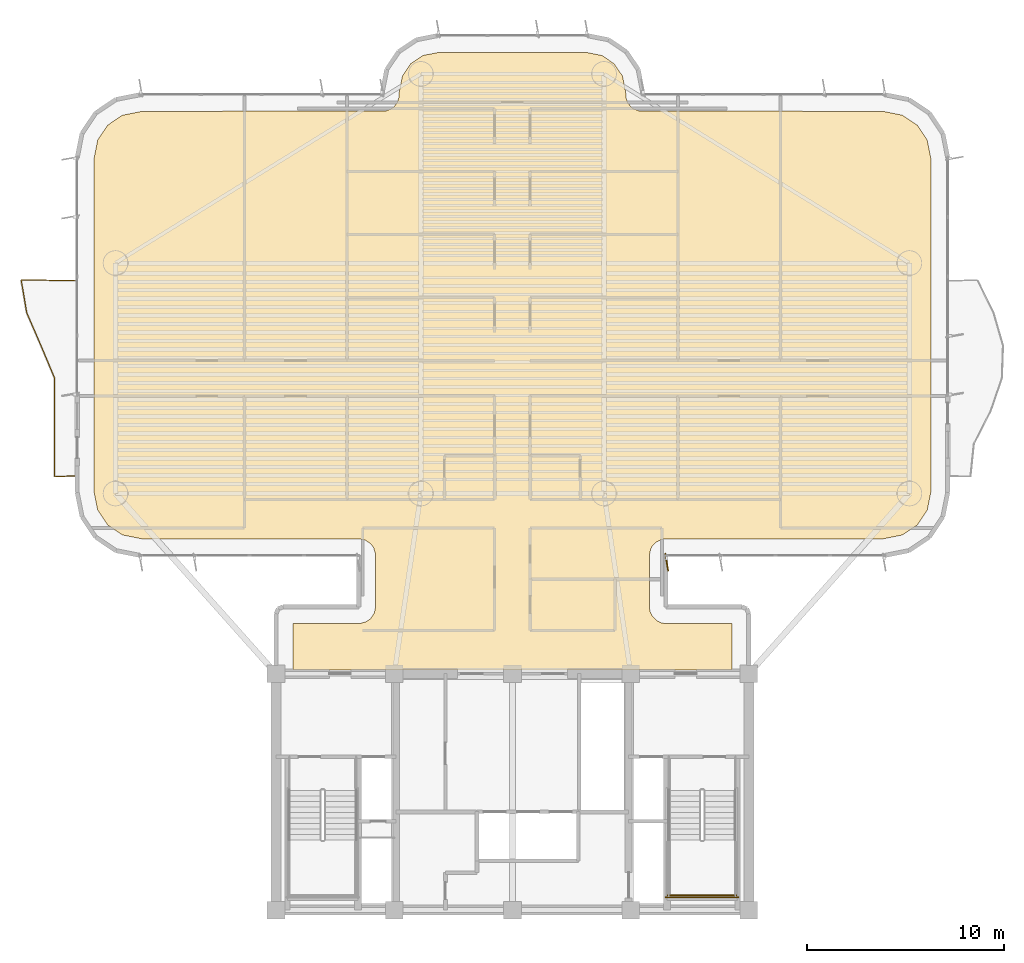
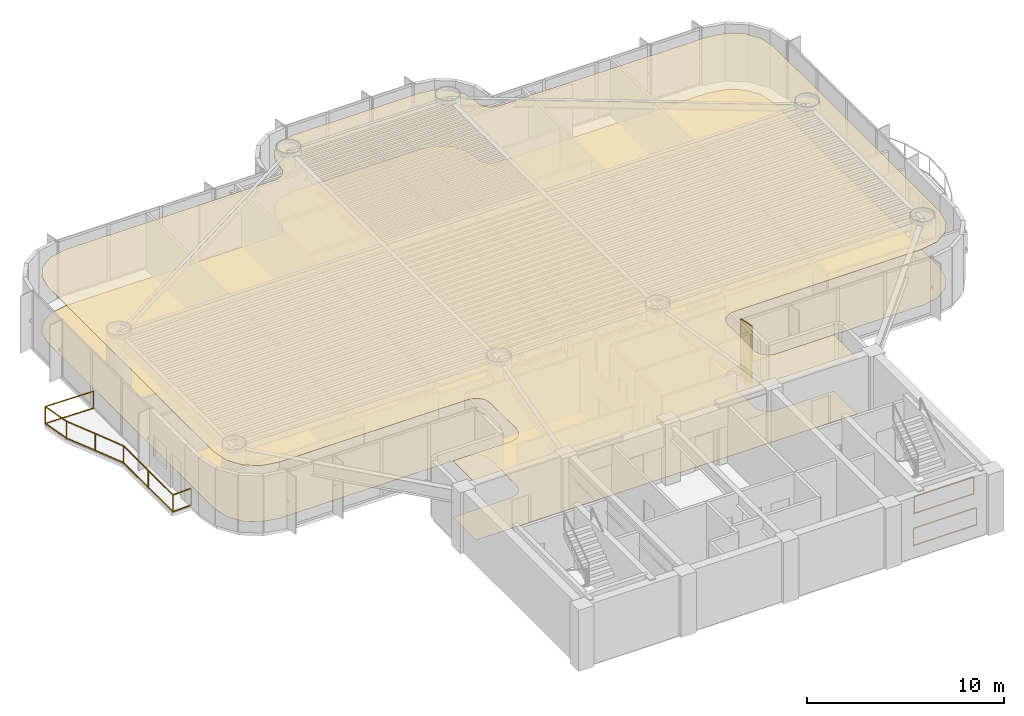
# One storey, part 14 of 16: 3 railings, 2 coverings, 1 shading device.
"""IFC4 building model written with IfcOpenShell, lengths in metres."""

from ifc_helpers import new_model, si_unit, direction, frame, origin, origin_2d, place, context, subcontext, project, spatial, polyline, rectangle, outline, extrude, source, transform, mapped, material, layer, layer_set, material_profile, profile_set, type_object, element, save


model = new_model("IFC4")

# Units and contexts
model_context = context("Model", 3, precision=1e-05, world=origin(), true_north=direction((0.0, 1.0)))
body_context = subcontext(model_context, "Body", "Model", "MODEL_VIEW")
ifc_project = project(units=[si_unit("LENGTHUNIT", "METRE"), si_unit("AREAUNIT", "SQUARE_METRE"), si_unit("VOLUMEUNIT", "CUBIC_METRE"), si_unit("PLANEANGLEUNIT", "RADIAN"), si_unit("MASSUNIT", "GRAM", prefix="KILO")], contexts=[model_context])

# Site, building, storey
site_placement = place(None, origin())
site = spatial("IfcSite", under=ifc_project, at=site_placement, CompositionType="ELEMENT")
building_placement = place(site_placement, origin())
building = spatial("IfcBuilding", under=site, at=building_placement, Name="Brelvock Crest Care Tower", CompositionType="ELEMENT")
storey_placement = place(building_placement, frame((0.0, 0.0, 101.159912109375)))
storey = spatial("IfcBuildingStorey", under=building, at=storey_placement, Name="L25", CompositionType="ELEMENT", Elevation=101.159912109375)

# Coverings
ifc_material_1 = material(Name="Mineral Fibre Acoustic Ceiling Tile", Category="gypsum")
ifc_layer_1 = layer(ifc_material_1, 0.02490234375, Name="COV-CLG1")
ifc_layer_set_1 = layer_set([ifc_layer_1], Name="Mineral Fibre Acoustic Ceiling Tile")
covering_type_1 = type_object("IfcCoveringType", Name="COV-CLG1", PredefinedType="CEILING", material=ifc_layer_set_1)
covering_1_placement = place(storey_placement, frame((0.0, 0.0, 3.47509765625)))
element("IfcCovering", 1, at=covering_1_placement, inside=storey, type_object=covering_type_1, Name="L25 Acoustic Suspended Ceiling 1", PredefinedType="CEILING", context=body_context, shape_type="SweptSolid", body=[
    extrude(outline(polyline([(24.85009765625, 18.199951171875), (47.14990234375, 18.199951171875), (47.14990234375, 20.550048828125), (43.716796875, 20.55419921875), (43.55322265625, 20.586669921875), (43.327880859375, 20.693359375), (43.09326171875, 20.927734375), (42.986572265625, 21.1533203125), (42.949951171875, 21.39990234375), (42.949951171875, 24.0), (43.0146484375, 24.3251953125), (43.09326171875, 24.47216796875), (43.2607421875, 24.656982421875), (43.55322265625, 24.8134765625), (43.800048828125, 24.85009765625), (54.81640625, 24.85009765625), (55.79296875, 25.044189453125), (56.5498046875, 25.550048828125), (57.0556640625, 26.30712890625), (57.25, 27.28369140625), (57.25, 44.1162109375), (57.0556640625, 45.093017578125), (56.5498046875, 45.849853515625), (55.79296875, 46.355712890625), (54.81640625, 46.550048828125), (42.43408203125, 46.56640625), (42.127685546875, 46.693359375), (41.9990234375, 46.799072265625), (41.850341796875, 46.999267578125), (41.766357421875, 47.234130859375), (41.75, 47.516357421875), (41.586181640625, 48.33984375), (41.1669921875, 48.967041015625), (40.539794921875, 49.38623046875), (39.71630859375, 49.550048828125), (32.28369140625, 49.550048828125), (31.460205078125, 49.38623046875), (30.8330078125, 48.967041015625), (30.413818359375, 48.33984375), (30.25, 47.516357421875), (30.233642578125, 47.234130859375), (30.149658203125, 46.999267578125), (30.0009765625, 46.799072265625), (29.872314453125, 46.693359375), (29.56591796875, 46.56640625), (17.18359375, 46.550048828125), (16.20703125, 46.355712890625), (15.4501953125, 45.849853515625), (14.9443359375, 45.093017578125), (14.75, 44.1162109375), (14.75, 27.28369140625), (14.9443359375, 26.30712890625), (15.4501953125, 25.550048828125), (16.20703125, 25.044189453125), (17.18359375, 24.85009765625), (28.199951171875, 24.85009765625), (28.525390625, 24.785400390625), (28.801025390625, 24.60107421875), (28.94970703125, 24.400634765625), (29.0458984375, 24.083251953125), (29.050048828125, 21.39990234375), (28.9853515625, 21.07470703125), (28.801025390625, 20.799072265625), (28.6005859375, 20.650390625), (28.283203125, 20.55419921875), (24.85009765625, 20.550048828125), (24.85009765625, 18.199951171875)])), origin(), (0.0, 0.0, 1.0), 0.02490234375),
])
ifc_material_2 = material(Name="Slip-Resistant Acoustic Vinyl Flooring", Category="finish")
ifc_layer_2 = layer(ifc_material_2, 0.014892578125, Name="COV-FLR1")
ifc_layer_set_2 = layer_set([ifc_layer_2], Name="Slip-Resistant Acoustic Vinyl Flooring")
covering_type_2 = type_object("IfcCoveringType", Name="COV-FLR1", PredefinedType="FLOORING", material=ifc_layer_set_2)
covering_2_placement = place(storey_placement, origin())
element("IfcCovering", 2, at=covering_2_placement, inside=storey, type_object=covering_type_2, Name="L25 Slip-Resistant Acoustic Flooring 1", PredefinedType="FLOORING", context=body_context, shape_type="SweptSolid", body=[
    extrude(outline(polyline([(24.85009765625, 18.199951171875), (47.14990234375, 18.199951171875), (47.14990234375, 20.550048828125), (43.716796875, 20.55419921875), (43.55322265625, 20.586669921875), (43.327880859375, 20.693359375), (43.09326171875, 20.927734375), (42.986572265625, 21.1533203125), (42.949951171875, 21.39990234375), (42.949951171875, 24.0), (43.0146484375, 24.3251953125), (43.09326171875, 24.47216796875), (43.2607421875, 24.656982421875), (43.55322265625, 24.8134765625), (43.800048828125, 24.85009765625), (54.81640625, 24.85009765625), (55.79296875, 25.044189453125), (56.5498046875, 25.550048828125), (57.0556640625, 26.30712890625), (57.25, 27.28369140625), (57.25, 44.1162109375), (57.0556640625, 45.093017578125), (56.5498046875, 45.849853515625), (55.79296875, 46.355712890625), (54.81640625, 46.550048828125), (42.43408203125, 46.56640625), (42.127685546875, 46.693359375), (41.9990234375, 46.799072265625), (41.850341796875, 46.999267578125), (41.766357421875, 47.234130859375), (41.75, 47.516357421875), (41.586181640625, 48.33984375), (41.1669921875, 48.967041015625), (40.539794921875, 49.38623046875), (39.71630859375, 49.550048828125), (32.28369140625, 49.550048828125), (31.460205078125, 49.38623046875), (30.8330078125, 48.967041015625), (30.413818359375, 48.33984375), (30.25, 47.516357421875), (30.233642578125, 47.234130859375), (30.149658203125, 46.999267578125), (30.0009765625, 46.799072265625), (29.872314453125, 46.693359375), (29.56591796875, 46.56640625), (17.18359375, 46.550048828125), (16.20703125, 46.355712890625), (15.4501953125, 45.849853515625), (14.9443359375, 45.093017578125), (14.75, 44.1162109375), (14.75, 27.28369140625), (14.9443359375, 26.30712890625), (15.4501953125, 25.550048828125), (16.20703125, 25.044189453125), (17.18359375, 24.85009765625), (28.199951171875, 24.85009765625), (28.525390625, 24.785400390625), (28.801025390625, 24.60107421875), (28.94970703125, 24.400634765625), (29.0458984375, 24.083251953125), (29.050048828125, 21.39990234375), (28.9853515625, 21.07470703125), (28.801025390625, 20.799072265625), (28.6005859375, 20.650390625), (28.283203125, 20.55419921875), (24.85009765625, 20.550048828125), (24.85009765625, 18.199951171875)])), origin(), (0.0, 0.0, 1.0), 0.01513671875),
])

# Railings
ifc_material_3 = material(Name="Dark Glass Double Glazed Low-E", Category="glass")
ifc_layer_3 = layer(ifc_material_3, 0.06005859375, Name="RL-BAL1")
ifc_layer_set_3 = layer_set([ifc_layer_3], Name="Dark Glass Double Glazed Low-E")
railing_type_1 = type_object("IfcRailingType", Name="RL-BAL1", PredefinedType="BALUSTRADE", material=ifc_layer_set_3)
railing_1_placement = place(storey_placement, frame((13.860107421875, 28.050048828125, 0.004150390625)))
element("IfcRailing", 3, at=railing_1_placement, inside=storey, type_object=railing_type_1, Name="L25 Safety Balustrade WB-W", PredefinedType="BALUSTRADE", context=body_context, shape_type="SweptSolid", body=[
    extrude(rectangle(XDim=0.048095703125, YDim=0.048095703125, at=origin_2d()), frame((-0.001953125, 0.0, 1.09619140625), z_axis=(-0.998966710972, -0.045447886318, 0.0), x_axis=(0.045447886318, -0.998966710972, 0.0)), (0.0, 0.0, 1.0), 1.09716796875),
    extrude(rectangle(XDim=0.048095703125, YDim=0.048095703125, at=origin_2d()), frame((-0.001953125, 0.0, 0.054931640625), z_axis=(-0.998966710972, -0.045447886318, 0.0), x_axis=(0.045447886318, -0.998966710972, 0.0)), (0.0, 0.0, 1.0), 1.09716796875),
    extrude(rectangle(XDim=0.048095703125, YDim=0.048095703125, at=origin_2d()), frame((-1.10009765625, -0.048095703125, 1.09619140625), z_axis=(0.0, 1.0, 0.0), x_axis=(-1.0, 0.0, 0.0)), (0.0, 0.0, 1.0), 4.99609375),
    extrude(rectangle(XDim=0.048095703125, YDim=0.048095703125, at=origin_2d()), frame((-1.10009765625, -0.048095703125, 0.054931640625), z_axis=(0.0, 1.0, 0.0), x_axis=(-1.0, 0.0, 0.0)), (0.0, 0.0, 1.0), 4.99609375),
    extrude(rectangle(XDim=0.048095703125, YDim=0.048095703125, at=origin_2d()), frame((-1.100830078125, 4.951904296875, 1.09619140625), z_axis=(-0.386963805718, 0.922094904586, 0.0), x_axis=(-0.922094904586, -0.386963805718, 0.0)), (0.0, 0.0, 1.0), 1.803466796875),
    extrude(rectangle(XDim=0.048095703125, YDim=0.048095703125, at=origin_2d()), frame((-1.100830078125, 4.951904296875, 0.054931640625), z_axis=(-0.386963805718, 0.922094904586, 0.0), x_axis=(-0.922094904586, -0.386963805718, 0.0)), (0.0, 0.0, 1.0), 1.803466796875),
    extrude(rectangle(XDim=0.048095703125, YDim=0.048095703125, at=origin_2d()), frame((-1.80029296875, 6.61865234375, 1.09619140625), z_axis=(-0.39727539454, 0.917699439301, 0.0), x_axis=(-0.917699439301, -0.39727539454, 0.0)), (0.0, 0.0, 1.0), 1.81201171875),
    extrude(rectangle(XDim=0.048095703125, YDim=0.048095703125, at=origin_2d()), frame((-1.80029296875, 6.61865234375, 0.054931640625), z_axis=(-0.39727539454, 0.917699439301, 0.0), x_axis=(-0.917699439301, -0.39727539454, 0.0)), (0.0, 0.0, 1.0), 1.81201171875),
    extrude(rectangle(XDim=0.048095703125, YDim=0.048095703125, at=origin_2d()), frame((-2.521240234375, 8.28515625, 1.09619140625), z_axis=(-0.165125179616, 0.986272617006, 0.0), x_axis=(-0.986272617006, -0.165125179616, 0.0)), (0.0, 0.0, 1.0), 1.68603515625),
    extrude(rectangle(XDim=0.048095703125, YDim=0.048095703125, at=origin_2d()), frame((-2.521240234375, 8.28515625, 0.054931640625), z_axis=(-0.165125179616, 0.986272617006, 0.0), x_axis=(-0.986272617006, -0.165125179616, 0.0)), (0.0, 0.0, 1.0), 1.68603515625),
    extrude(rectangle(XDim=0.048095703125, YDim=0.048095703125, at=origin_2d()), frame((-2.798095703125, 9.949951171875, 1.09619140625), z_axis=(0.999840293507, -0.017871415134, 0.0), x_axis=(0.017871415134, 0.999840293507, 0.0)), (0.0, 0.0, 1.0), 2.79638671875),
    extrude(rectangle(XDim=0.048095703125, YDim=0.048095703125, at=origin_2d()), frame((-2.798095703125, 9.949951171875, 0.054931640625), z_axis=(0.999840293507, -0.017871415134, 0.0), x_axis=(0.017871415134, 0.999840293507, 0.0)), (0.0, 0.0, 1.0), 2.79638671875),
    extrude(rectangle(XDim=0.0419921875, YDim=0.0419921875, at=origin_2d()), origin(), (0.0, 0.0, 1.0), 1.070068359375),
    extrude(rectangle(XDim=0.0419921875, YDim=0.0419921875, at=origin_2d()), frame((-1.10009765625, -0.050048828125, 0.0)), (0.0, 0.0, 1.0), 1.070068359375),
    extrude(rectangle(XDim=0.0419921875, YDim=0.0419921875, at=origin_2d()), frame((-1.10009765625, 2.449951171875, 0.0)), (0.0, 0.0, 1.0), 1.070068359375),
    extrude(rectangle(XDim=0.0419921875, YDim=0.0419921875, at=origin_2d()), frame((-1.10009765625, 4.949951171875, 0.0)), (0.0, 0.0, 1.0), 1.070068359375),
    extrude(rectangle(XDim=0.0419921875, YDim=0.0419921875, at=origin_2d()), frame((-1.799560546875, 6.61669921875, 0.0)), (0.0, 0.0, 1.0), 1.070068359375),
    extrude(rectangle(XDim=0.0419921875, YDim=0.0419921875, at=origin_2d()), frame((-2.52099609375, 8.283203125, 0.0)), (0.0, 0.0, 1.0), 1.070068359375),
    extrude(rectangle(XDim=0.0419921875, YDim=0.0419921875, at=origin_2d()), frame((-2.800048828125, 9.949951171875, 0.0)), (0.0, 0.0, 1.0), 1.070068359375),
    extrude(rectangle(XDim=0.0419921875, YDim=0.0419921875, at=origin_2d()), frame((0.0, 9.89990234375, 0.0)), (0.0, 0.0, 1.0), 1.070068359375),
])
ifc_material_4 = material(Name="Steel Grade 350", Category="steel")
ifc_layer_4 = layer(ifc_material_4, 0.050048828125, Name="RL-STG1")
ifc_layer_set_4 = layer_set([ifc_layer_4], Name="Steel Grade 350")
railing_type_2 = type_object("IfcRailingType", Name="RL-STG1", PredefinedType="GUARDRAIL", material=ifc_layer_set_4)
railing_2_placement = place(storey_placement, frame((43.889892578125, 6.75, 1.89013671875)))
element("IfcRailing", 4, at=railing_2_placement, inside=storey, type_object=railing_type_2, Name="L25 ST-2 stair guard 5", PredefinedType="GUARDRAIL", context=body_context, shape_type="SweptSolid", body=[
    extrude(rectangle(XDim=0.048095703125, YDim=0.048095703125, at=origin_2d()), frame((0.001953125, 0.0, 1.11572265625), z_axis=(1.0, 0.0, 0.0), x_axis=(0.0, 1.0, 0.0)), (0.0, 0.0, 1.0), 3.476318359375),
    extrude(rectangle(XDim=0.048095703125, YDim=0.048095703125, at=origin_2d()), frame((0.001953125, 0.0, 0.054931640625), z_axis=(1.0, 0.0, 0.0), x_axis=(0.0, 1.0, 0.0)), (0.0, 0.0, 1.0), 3.476318359375),
    extrude(rectangle(XDim=0.0419921875, YDim=0.0419921875, at=origin_2d()), origin(), (0.0, 0.0, 1.0), 1.08984375),
    extrude(rectangle(XDim=0.0419921875, YDim=0.0419921875, at=origin_2d()), frame((3.480224609375, 0.0, 0.0)), (0.0, 0.0, 1.0), 1.08984375),
])
railing_3_placement = place(storey_placement, frame((43.7900390625, 6.64990234375, 0.0)))
element("IfcRailing", 5, at=railing_3_placement, inside=storey, type_object=railing_type_2, Name="L25 ST-2 stair guard 12", PredefinedType="GUARDRAIL", context=body_context, shape_type="SweptSolid", body=[
    extrude(rectangle(XDim=0.048095703125, YDim=0.048095703125, at=origin_2d()), frame((0.001953125, 0.0, 1.11572265625), z_axis=(1.0, 0.0, 0.0), x_axis=(0.0, 1.0, 0.0)), (0.0, 0.0, 1.0), 3.676025390625),
    extrude(rectangle(XDim=0.048095703125, YDim=0.048095703125, at=origin_2d()), frame((0.001953125, 0.0, 0.054931640625), z_axis=(1.0, 0.0, 0.0), x_axis=(0.0, 1.0, 0.0)), (0.0, 0.0, 1.0), 3.676025390625),
    extrude(rectangle(XDim=0.0419921875, YDim=0.0419921875, at=origin_2d()), origin(), (0.0, 0.0, 1.0), 1.08984375),
    extrude(rectangle(XDim=0.0419921875, YDim=0.0419921875, at=origin_2d()), frame((3.679931640625, 0.0, 0.0)), (0.0, 0.0, 1.0), 1.08984375),
])

# Shading device
ifc_material_5 = material(Name="Aluminium 6063-T6", Category="aluminium")
ifc_material_profile = material_profile(ifc_material_5, rectangle(XDim=0.054931640625, YDim=0.89990234375, at=origin_2d()), Name="FIN55x900")
ifc_profile_set = profile_set([ifc_material_profile], Name="Aluminium 6063-T6")
shading_device_type = type_object("IfcShadingDeviceType", Name="SHD-FIN1", PredefinedType="USERDEFINED", material=ifc_profile_set)
shared_shape = source(origin(), body_context, "Body", "SweptSolid", [
    extrude(rectangle(XDim=0.054931640625, YDim=0.89990234375, at=origin_2d()), origin(), (0.0, 0.0, 1.0), 3.530029296875),
])
shading_device_placement = place(storey_placement, frame((43.830078125, 23.659912109375, 0.0), z_axis=(0.0, 0.0, 1.0), x_axis=(-0.984807753012, -0.173648177667, 0.0)))
element("IfcShadingDevice", 6, at=shading_device_placement, inside=storey, type_object=shading_device_type, Name="L25 Vertical Sunshade Fin E44-05", ObjectType="FIN", PredefinedType="USERDEFINED", context=body_context, shape_type="MappedRepresentation", body=[
    mapped(shared_shape, transform((0.0, 0.0, 0.0), x_axis=(1.0, 0.0, 0.0), y_axis=(0.0, 1.0, 0.0), z_axis=(0.0, 0.0, 1.0), scale=1.0)),
])

save(model, "model.ifc")
